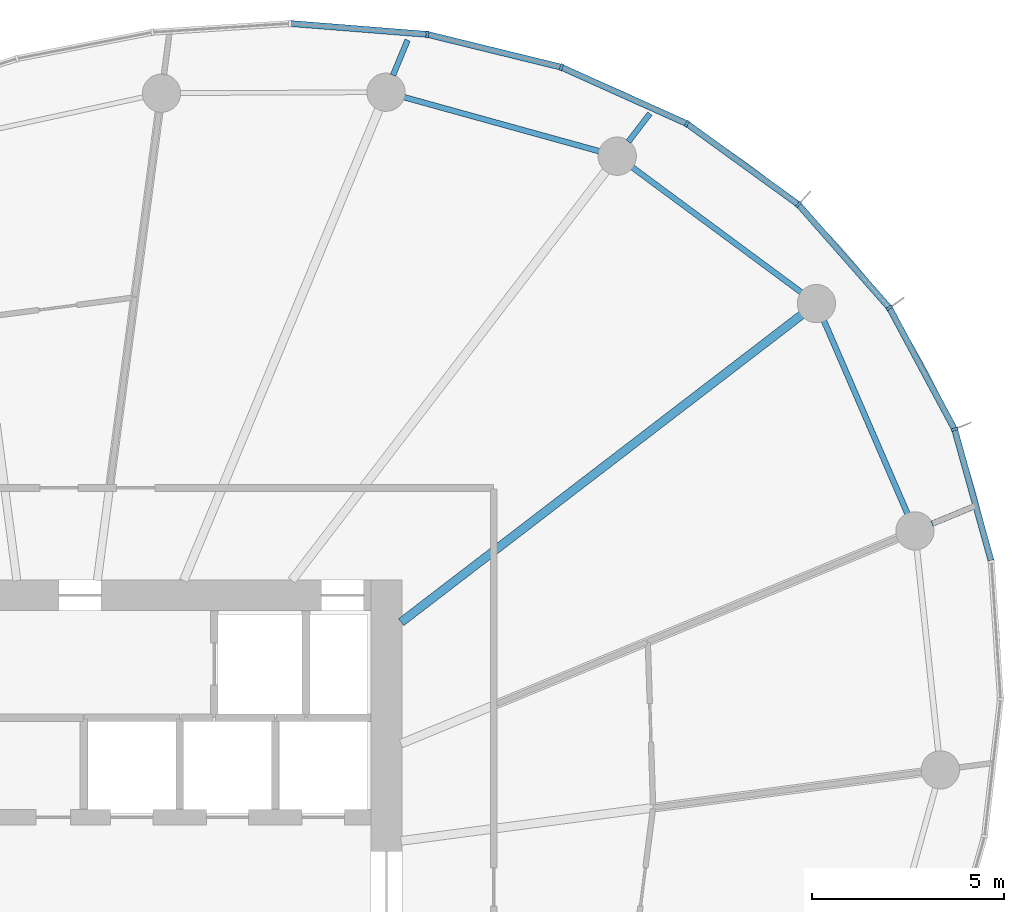
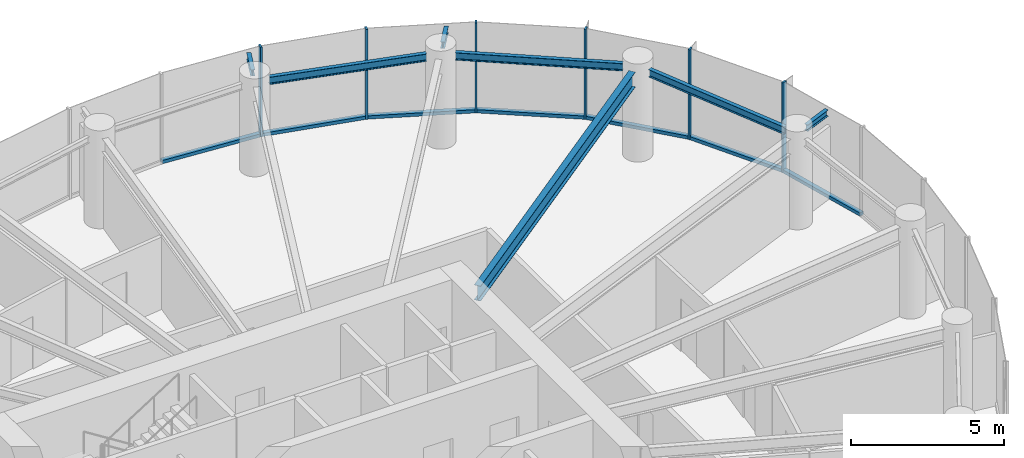
# One storey, part 6 of 14: 13 members, 7 beams, 2 elements without a shape of their own.
"""IFC4 building model written with IfcOpenShell, lengths in metres."""

from ifc_helpers import new_model, si_unit, direction, frame, origin, origin_2d, place, context, subcontext, project, spatial, rectangle, i_section, extrude, source, transform, mapped, material, layer, layer_set, material_profile, profile_set, type_object, element, aggregate, save


model = new_model("IFC4")

# Units and contexts
model_context = context("Model", 3, precision=1e-05, world=origin(), true_north=direction((0.0, 1.0)))
body_context = subcontext(model_context, "Body", "Model", "MODEL_VIEW")
ifc_project = project(units=[si_unit("LENGTHUNIT", "METRE"), si_unit("AREAUNIT", "SQUARE_METRE"), si_unit("VOLUMEUNIT", "CUBIC_METRE"), si_unit("PLANEANGLEUNIT", "RADIAN"), si_unit("MASSUNIT", "GRAM", prefix="KILO")], contexts=[model_context])

# Site, building, storey
site_placement = place(None, origin())
site = spatial("IfcSite", under=ifc_project, at=site_placement, CompositionType="ELEMENT")
building_placement = place(site_placement, origin())
building = spatial("IfcBuilding", under=site, at=building_placement, Name="Spindrift Exchange Tower", CompositionType="ELEMENT")
storey_placement = place(building_placement, frame((0.0, 0.0, 156.5)))
storey = spatial("IfcBuildingStorey", under=building, at=storey_placement, Name="L37", CompositionType="ELEMENT", Elevation=156.5)

# Beams
ifc_material_1 = material(Name="Steel Grade 300", Category="steel")
ifc_material_profile_1 = material_profile(ifc_material_1, i_section(OverallWidth=0.14599609375, OverallDepth=0.251953125, WebThickness=0.006103515625, FlangeThickness=0.008544921875, FilletRadius=0.011962890625, at=origin_2d()), Name="250UB31.4")
ifc_profile_set_1 = profile_set([ifc_material_profile_1], Name="Steel Grade 300")
beam_type_1 = type_object("IfcBeamType", Name="Cantilever Beam 250UB31.4 Steel Grade 300", PredefinedType="BEAM", material=ifc_profile_set_1)
shared_shape_1 = source(origin(), body_context, "Body", "SweptSolid", [
    extrude(i_section(OverallWidth=0.14599609375, OverallDepth=0.251953125, WebThickness=0.006103515625, FlangeThickness=0.008544921875, FilletRadius=0.011962890625, at=origin_2d()), origin(), (0.0, 0.0, 1.0), 0.92138671875),
])
beam_1_placement = place(storey_placement, frame((66.9169921875, 67.440185546875, 3.4541015625), z_axis=(0.60869854627, 0.793401587955, 0.0), x_axis=(-0.793401587955, 0.60869854627, 0.0)))
element("IfcBeam", 1, at=beam_1_placement, inside=storey, type_object=beam_type_1, Name="L37 cantilever beam R04T", PredefinedType="BEAM", context=body_context, shape_type="MappedRepresentation", body=[
    mapped(shared_shape_1, transform((0.0, 0.0, 0.0), scale=1.0)),
])
ifc_material_profile_2 = material_profile(ifc_material_1, i_section(OverallWidth=0.14892578125, OverallDepth=0.298095703125, WebThickness=0.005615234375, FlangeThickness=0.008056640625, FilletRadius=0.012939453125, at=origin_2d()), Name="310UB32.0")
ifc_profile_set_2 = profile_set([ifc_material_profile_2], Name="Steel Grade 300")
beam_type_2 = type_object("IfcBeamType", Name="Edge Beam 310UB32.0 Steel Grade 300", PredefinedType="SPANDREL", material=ifc_profile_set_2)
shared_shape_2 = source(origin(), body_context, "Body", "SweptSolid", [
    extrude(i_section(OverallWidth=0.14892578125, OverallDepth=0.298095703125, WebThickness=0.005615234375, FlangeThickness=0.008056640625, FilletRadius=0.012939453125, at=origin_2d()), origin(), (0.0, 0.0, 1.0), 5.508544921875),
])
beam_2_placement = place(storey_placement, frame((74.205810546875, 57.717529296875, 3.430908203125), z_axis=(-0.397414644433, 0.917639144975, 0.0), x_axis=(-0.917639144975, -0.397414644433, 0.0)))
element("IfcBeam", 2, at=beam_2_placement, inside=storey, type_object=beam_type_2, Name="L37 edge beam E02", PredefinedType="SPANDREL", context=body_context, shape_type="MappedRepresentation", body=[
    mapped(shared_shape_2, transform((0.0, 0.0, 0.0), scale=1.0)),
])
shared_shape_3 = source(origin(), body_context, "Body", "SweptSolid", [
    extrude(i_section(OverallWidth=0.14892578125, OverallDepth=0.298095703125, WebThickness=0.005615234375, FlangeThickness=0.008056640625, FilletRadius=0.012939453125, at=origin_2d()), origin(), (0.0, 0.0, 1.0), 5.509033203125),
])
beam_3_placement = place(storey_placement, frame((71.43994140625, 63.498291015625, 3.430908203125), z_axis=(-0.803991901791, 0.594640245741, 0.0), x_axis=(-0.594640245741, -0.803991901791, 0.0)))
element("IfcBeam", 3, at=beam_3_placement, inside=storey, type_object=beam_type_2, Name="L37 edge beam E03", PredefinedType="SPANDREL", context=body_context, shape_type="MappedRepresentation", body=[
    mapped(shared_shape_3, transform((0.0, 0.0, 0.0), scale=1.0)),
])
shared_shape_4 = source(origin(), body_context, "Body", "SweptSolid", [
    extrude(i_section(OverallWidth=0.14892578125, OverallDepth=0.298095703125, WebThickness=0.005615234375, FlangeThickness=0.008056640625, FilletRadius=0.012939453125, at=origin_2d()), origin(), (0.0, 0.0, 1.0), 5.30517578125),
])
beam_4_placement = place(storey_placement, frame((66.162353515625, 67.1875, 3.430908203125), z_axis=(-0.963757513624, 0.26677978734, 0.0), x_axis=(-0.26677978734, -0.963757513624, 0.0)))
element("IfcBeam", 4, at=beam_4_placement, inside=storey, type_object=beam_type_2, Name="L37 edge beam E04", PredefinedType="SPANDREL", context=body_context, shape_type="MappedRepresentation", body=[
    mapped(shared_shape_4, transform((0.0, 0.0, 0.0), scale=1.0)),
])
ifc_material_profile_3 = material_profile(ifc_material_1, i_section(OverallWidth=0.22802734375, OverallDepth=0.60205078125, WebThickness=0.010498046875, FlangeThickness=0.014892578125, FilletRadius=0.013916015625, at=origin_2d()), Name="610UB101")
ifc_profile_set_3 = profile_set([ifc_material_profile_3], Name="Steel Grade 300")
beam_type_3 = type_object("IfcBeamType", Name="Floor Beam 610UB101 Steel Grade 300", PredefinedType="BEAM", material=ifc_profile_set_3)
shared_shape_5 = source(origin(), body_context, "Body", "SweptSolid", [
    extrude(i_section(OverallWidth=0.22802734375, OverallDepth=0.60205078125, WebThickness=0.010498046875, FlangeThickness=0.014892578125, FilletRadius=0.013916015625, at=origin_2d()), origin(), (0.0, 0.0, 1.0), 13.185546875),
])
beam_5_placement = place(storey_placement, frame((60.984130859375, 54.893798828125, 3.279052734375), z_axis=(0.793357156703, 0.608756455332, 0.0), x_axis=(-0.608756455332, 0.793357156703, 0.0)))
element("IfcBeam", 5, at=beam_5_placement, inside=storey, type_object=beam_type_3, Name="L37 radial beam R03A", PredefinedType="BEAM", context=body_context, shape_type="MappedRepresentation", body=[
    mapped(shared_shape_5, transform((0.0, 0.0, 0.0), scale=1.0)),
])
shared_shape_6 = source(origin(), body_context, "Body", "SweptSolid", [
    extrude(i_section(OverallWidth=0.14599609375, OverallDepth=0.251953125, WebThickness=0.006103515625, FlangeThickness=0.008544921875, FilletRadius=0.011962890625, at=origin_2d()), origin(), (0.0, 0.0, 1.0), 1.1044921875),
])
beam_6_placement = place(storey_placement, frame((74.840087890625, 57.460693359375, 3.4541015625), z_axis=(0.923911779543, 0.382605571864, 0.0), x_axis=(-0.382605571864, 0.923911779543, 0.0)))
element("IfcBeam", 6, at=beam_6_placement, inside=storey, type_object=beam_type_1, Name="L37 cantilever beam R02T", PredefinedType="BEAM", context=body_context, shape_type="MappedRepresentation", body=[
    mapped(shared_shape_6, transform((0.0, 0.0, 0.0), scale=1.0)),
])
shared_shape_7 = source(origin(), body_context, "Body", "SweptSolid", [
    extrude(i_section(OverallWidth=0.14599609375, OverallDepth=0.251953125, WebThickness=0.006103515625, FlangeThickness=0.008544921875, FilletRadius=0.011962890625, at=origin_2d()), origin(), (0.0, 0.0, 1.0), 0.99267578125),
])
beam_7_placement = place(storey_placement, frame((60.770751953125, 69.17431640625, 3.4541015625), z_axis=(0.382728331332, 0.923860933472, 0.0), x_axis=(-0.923860933472, 0.382728331332, 0.0)))
element("IfcBeam", 7, at=beam_7_placement, inside=storey, type_object=beam_type_1, Name="L37 cantilever beam R05T", PredefinedType="BEAM", context=body_context, shape_type="MappedRepresentation", body=[
    mapped(shared_shape_7, transform((0.0, 0.0, 0.0), scale=1.0)),
])

# Curtain wall, members
ifc_material_2 = material(Name="Fritted laminated glass with bronze frame", Category="glass")
ifc_layer = layer(ifc_material_2, 0.179931640625)
ifc_layer_set = layer_set([ifc_layer], Name="ZONE 3 BRONZE FRITTED WALL")
curtain_wall_type = type_object("IfcCurtainWallType", Name="ZONE 3 BRONZE FRITTED WALL", PredefinedType="NOTDEFINED", material=ifc_layer_set)
curtain_wall_1_placement = place(storey_placement, origin())
curtain_wall_1 = element("IfcCurtainWall", 8, at=curtain_wall_1_placement, inside=storey, type_object=curtain_wall_type, Name="L37 Zone 3 Bronze Fritted Wall run 1", PredefinedType="NOTDEFINED")
ifc_material_3 = material(Name="Bronze anodised aluminium", Category="aluminium")
ifc_material_profile_4 = material_profile(ifc_material_3, rectangle(XDim=0.070068359375, YDim=0.179931640625, at=origin_2d()), Name="ZONE 3 BRONZE FRITTED WALL MULLION 70X180")
ifc_profile_set_4 = profile_set([ifc_material_profile_4], Name="Bronze anodised aluminium")
member_type_1 = type_object("IfcMemberType", Name="ZONE 3 BRONZE FRITTED WALL MULLION 70X180", PredefinedType="MULLION", material=ifc_profile_set_4)
shared_shape_8 = source(origin(), body_context, "Body", "SweptSolid", [
    extrude(rectangle(XDim=0.070068359375, YDim=0.179931640625, at=origin_2d()), origin(), (0.0, 0.0, 1.0), 3.580078125),
])
member_1_placement = place(storey_placement, frame((73.730224609375, 63.10009765625, 0.0), z_axis=(0.0, 0.0, 1.0), x_axis=(-0.570626908797, 0.821209431848, 0.0)))
member_1 = element("IfcMember", 9, at=member_1_placement, type_object=member_type_1, Name="L37 mullion CW-3.1", PredefinedType="MULLION", context=body_context, shape_type="MappedRepresentation", body=[
    mapped(shared_shape_8, transform((0.0, 0.0, 0.0), scale=1.0)),
])
member_2_placement = place(storey_placement, frame((71.355224609375, 65.798583984375, 0.0), z_axis=(0.0, 0.0, 1.0), x_axis=(-0.73976391823, 0.672866513719, 0.0)))
member_2 = element("IfcMember", 10, at=member_2_placement, type_object=member_type_1, Name="L37 mullion CW-3.2", PredefinedType="MULLION", context=body_context, shape_type="MappedRepresentation", body=[
    mapped(shared_shape_8, transform((0.0, 0.0, 0.0), scale=1.0)),
])
member_3_placement = place(storey_placement, frame((68.443603515625, 67.908203125, 0.0), z_axis=(0.0, 0.0, 1.0), x_axis=(-0.86539549749, 0.501089446031, 0.0)))
member_3 = element("IfcMember", 11, at=member_3_placement, type_object=member_type_1, Name="L37 mullion CW-3.3", PredefinedType="MULLION", context=body_context, shape_type="MappedRepresentation", body=[
    mapped(shared_shape_8, transform((0.0, 0.0, 0.0), scale=1.0)),
])
member_4_placement = place(storey_placement, frame((65.163330078125, 69.3837890625, 0.0), z_axis=(0.0, 0.0, 1.0), x_axis=(-0.945554560129, 0.325463629027, 0.0)))
member_4 = element("IfcMember", 12, at=member_4_placement, type_object=member_type_1, Name="L37 mullion CW-3.4", PredefinedType="MULLION", context=body_context, shape_type="MappedRepresentation", body=[
    mapped(shared_shape_8, transform((0.0, 0.0, 0.0), scale=1.0)),
])
member_5_placement = place(storey_placement, frame((61.668701171875, 70.240234375, 0.0), z_axis=(0.0, 0.0, 1.0), x_axis=(-0.987248937341, 0.159183968162, 0.0)))
member_5 = element("IfcMember", 13, at=member_5_placement, type_object=member_type_1, Name="L37 mullion CW-3.5", PredefinedType="MULLION", context=body_context, shape_type="MappedRepresentation", body=[
    mapped(shared_shape_8, transform((0.0, 0.0, 0.0), scale=1.0)),
])

# Curtain wall, member
curtain_wall_2_placement = place(storey_placement, origin())
curtain_wall_2 = element("IfcCurtainWall", 14, at=curtain_wall_2_placement, inside=storey, type_object=curtain_wall_type, Name="L37 Zone 3 Bronze Fritted Wall run 7", PredefinedType="NOTDEFINED")
member_6_placement = place(storey_placement, frame((75.430908203125, 59.93310546875, 0.0), z_axis=(0.0, 0.0, 1.0), x_axis=(-0.372632011007, 0.927979193933, 0.0)))
member_6 = element("IfcMember", 15, at=member_6_placement, type_object=member_type_1, Name="L37 mullion CW-3.41", PredefinedType="MULLION", context=body_context, shape_type="MappedRepresentation", body=[
    mapped(shared_shape_8, transform((0.0, 0.0, 0.0), scale=1.0)),
])

# Member
ifc_material_profile_5 = material_profile(ifc_material_3, rectangle(XDim=0.159912109375, YDim=0.1298828125, at=origin_2d()), Name="ZONE 3 BRONZE FRITTED WALL TRANSOM 160X130")
ifc_profile_set_5 = profile_set([ifc_material_profile_5], Name="Bronze anodised aluminium")
member_type_2 = type_object("IfcMemberType", Name="ZONE 3 BRONZE FRITTED WALL TRANSOM 160X130", PredefinedType="USERDEFINED", material=ifc_profile_set_5)
shared_shape_9 = source(origin(), body_context, "Body", "SweptSolid", [
    extrude(rectangle(XDim=0.159912109375, YDim=0.1298828125, at=origin_2d()), origin(), (0.0, 0.0, 1.0), 3.524658203125),
])
member_7_placement = place(storey_placement, frame((73.70703125, 63.126220703125, 0.06494140625), z_axis=(-0.660649754627, 0.750694279791, 0.0), x_axis=(-0.750694279791, -0.660649754627, 0.0)))
member_7 = element("IfcMember", 16, at=member_7_placement, type_object=member_type_2, Name="L37 transom CW-3.1", ObjectType="TRANSOM", PredefinedType="USERDEFINED", context=body_context, shape_type="MappedRepresentation", body=[
    mapped(shared_shape_9, transform((0.0, 0.0, 0.0), scale=1.0)),
])

member_8_placement = place(storey_placement, frame((75.41455078125, 59.9638671875, 0.06494140625), z_axis=(-0.473149535638, 0.880982132013, 0.0), x_axis=(-0.880982132013, -0.473149535638, 0.0)))
member_8 = element("IfcMember", 17, at=member_8_placement, type_object=member_type_2, Name="L37 transom CW-3.41", ObjectType="TRANSOM", PredefinedType="USERDEFINED", context=body_context, shape_type="MappedRepresentation", body=[
    mapped(shared_shape_9, transform((0.0, 0.0, 0.0), scale=1.0)),
])

shared_shape_10 = source(origin(), body_context, "Body", "SweptSolid", [
    extrude(rectangle(XDim=0.159912109375, YDim=0.1298828125, at=origin_2d()), origin(), (0.0, 0.0, 1.0), 3.525390625),
])
member_9_placement = place(storey_placement, frame((76.383544921875, 56.502197265625, 0.06494140625), z_axis=(-0.26751528139, 0.963553617721, 0.0), x_axis=(-0.963553617721, -0.26751528139, 0.0)))
member_9 = element("IfcMember", 18, at=member_9_placement, type_object=member_type_2, Name="L37 transom CW-3.40", ObjectType="TRANSOM", PredefinedType="USERDEFINED", context=body_context, shape_type="MappedRepresentation", body=[
    mapped(shared_shape_10, transform((0.0, 0.0, 0.0), scale=1.0)),
])

aggregate(curtain_wall_2, [member_9, member_6, member_8])

shared_shape_11 = source(origin(), body_context, "Body", "SweptSolid", [
    extrude(rectangle(XDim=0.159912109375, YDim=0.1298828125, at=origin_2d()), origin(), (0.0, 0.0, 1.0), 3.528076171875),
])
member_10_placement = place(storey_placement, frame((65.12939453125, 69.39208984375, 0.06494140625), z_axis=(-0.97125553348, 0.238039258704, 0.0), x_axis=(-0.238039258704, -0.97125553348, 0.0)))
member_10 = element("IfcMember", 19, at=member_10_placement, type_object=member_type_2, Name="L37 transom CW-3.4", ObjectType="TRANSOM", PredefinedType="USERDEFINED", context=body_context, shape_type="MappedRepresentation", body=[
    mapped(shared_shape_11, transform((0.0, 0.0, 0.0), scale=1.0)),
])

shared_shape_12 = source(origin(), body_context, "Body", "SweptSolid", [
    extrude(rectangle(XDim=0.159912109375, YDim=0.1298828125, at=origin_2d()), origin(), (0.0, 0.0, 1.0), 3.529052734375),
])
member_11_placement = place(storey_placement, frame((61.6337890625, 70.242919921875, 0.06494140625), z_axis=(-0.99685256237, 0.07927779573, 0.0), x_axis=(-0.07927779573, -0.99685256237, 0.0)))
member_11 = element("IfcMember", 20, at=member_11_placement, type_object=member_type_2, Name="L37 transom CW-3.5", ObjectType="TRANSOM", PredefinedType="USERDEFINED", context=body_context, shape_type="MappedRepresentation", body=[
    mapped(shared_shape_12, transform((0.0, 0.0, 0.0), scale=1.0)),
])

shared_shape_13 = source(origin(), body_context, "Body", "SweptSolid", [
    extrude(rectangle(XDim=0.159912109375, YDim=0.1298828125, at=origin_2d()), origin(), (0.0, 0.0, 1.0), 3.52685546875),
])
member_12_placement = place(storey_placement, frame((68.411865234375, 67.922607421875, 0.06494140625), z_axis=(-0.911992727656, 0.410206368432, 0.0), x_axis=(-0.410206368432, -0.911992727656, 0.0)))
member_12 = element("IfcMember", 21, at=member_12_placement, type_object=member_type_2, Name="L37 transom CW-3.3", ObjectType="TRANSOM", PredefinedType="USERDEFINED", context=body_context, shape_type="MappedRepresentation", body=[
    mapped(shared_shape_13, transform((0.0, 0.0, 0.0), scale=1.0)),
])

shared_shape_14 = source(origin(), body_context, "Body", "SweptSolid", [
    extrude(rectangle(XDim=0.159912109375, YDim=0.1298828125, at=origin_2d()), origin(), (0.0, 0.0, 1.0), 3.525634765625),
])
member_13_placement = place(storey_placement, frame((71.326904296875, 65.819091796875, 0.06494140625), z_axis=(-0.809779882967, 0.586733790694, 0.0), x_axis=(-0.586733790694, -0.809779882967, 0.0)))
member_13 = element("IfcMember", 22, at=member_13_placement, type_object=member_type_2, Name="L37 transom CW-3.2", ObjectType="TRANSOM", PredefinedType="USERDEFINED", context=body_context, shape_type="MappedRepresentation", body=[
    mapped(shared_shape_14, transform((0.0, 0.0, 0.0), scale=1.0)),
])

aggregate(curtain_wall_1, [member_1, member_7, member_2, member_13, member_3, member_12, member_4, member_10, member_5, member_11])

save(model, "model.ifc")
